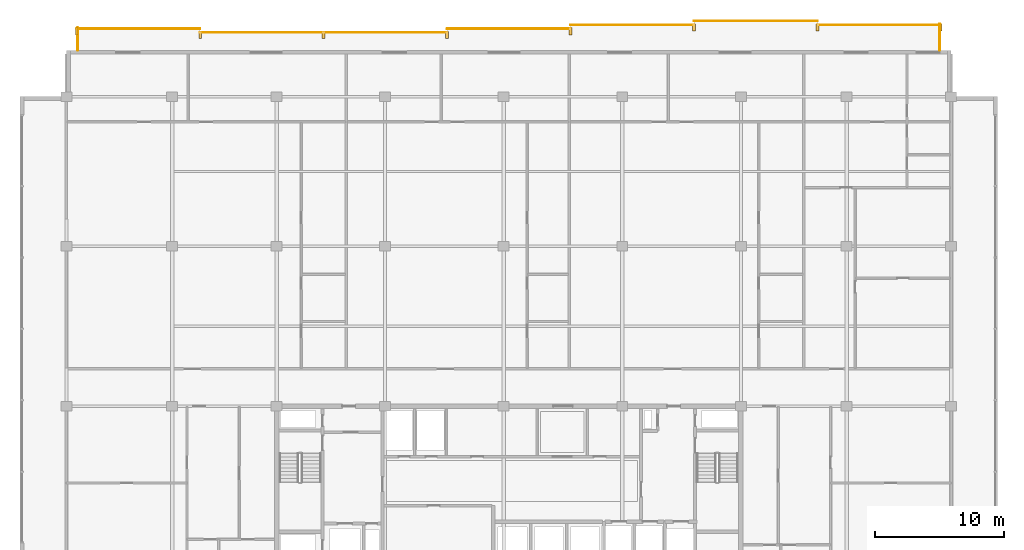
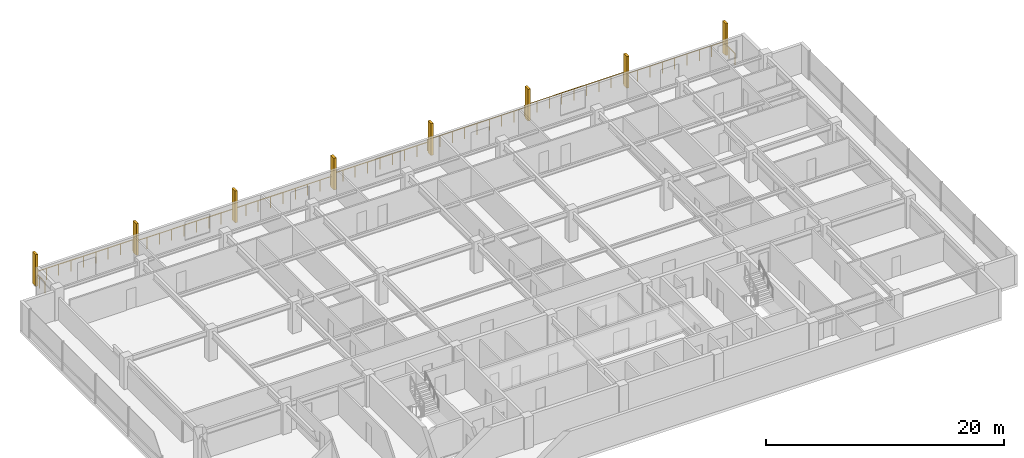
# One storey, part 32 of 32: 8 railings, 8 shading devices.
"""IFC4 building model written with IfcOpenShell, lengths in metres."""

import ifcopenshell
import ifcopenshell.guid

model = None  # the IFC model being written
_history = None  # IfcOwnerHistory: only IFC2X3 demands one
_inside = {}  # id of a spatial element -> (the spatial element, [elements in it])
_under = {}  # id of a project, library or spatial element -> (it, [spatial elements below it])
_declared = {}  # id of a project -> (the project, [libraries it declares])
_typed = {}  # id of a type object -> (the type object, [elements of that type])
_made_of = {}  # id of a material, layer set ... -> (it, [elements and type objects made of it])


def new_model(schema):
    """Start an empty IFC model of exactly this schema.

    Asked for "IFC4X3", IfcOpenShell would pick the latest addendum, in which some entities
    have other attributes; the version numbers below select the first issue.
    IFC2X3 requires an IfcOwnerHistory on every rooted entity: one is made here for all.
    """
    global model, _history
    if schema == "IFC4X3":
        model = ifcopenshell.file(schema_version=(4, 3, 0, 0))
    else:
        model = ifcopenshell.file(schema=schema)
    _inside.clear()
    _under.clear()
    _declared.clear()
    _typed.clear()
    _made_of.clear()
    _history = None
    if model.schema == "IFC2X3":
        org = make("IfcOrganization", Name="unknown")
        user = make(
            "IfcPersonAndOrganization",
            ThePerson=make("IfcPerson", FamilyName="unknown"),
            TheOrganization=org,
        )
        app = make(
            "IfcApplication",
            ApplicationDeveloper=org,
            Version="unknown",
            ApplicationFullName="unknown",
            ApplicationIdentifier="unknown",
        )
        _history = make(
            "IfcOwnerHistory",
            OwningUser=user,
            OwningApplication=app,
            ChangeAction="ADDED",
            CreationDate=0,
        )
    return model


def make(cls, **values):
    """One entity of the class cls with the attributes given. An attribute that is None is left unset."""
    return model.create_entity(
        cls, **{name: value for name, value in values.items() if value is not None}
    )


def rooted(cls, **values):
    """An entity with a GlobalId (a new one), such as an element, a storey or a relation."""
    return make(cls, GlobalId=ifcopenshell.guid.new(), OwnerHistory=_history, **values)


def si_unit(unit_type, name, prefix=None):
    """IfcSIUnit, for example si_unit("LENGTHUNIT", "METRE", prefix="MILLI")."""
    return make("IfcSIUnit", UnitType=unit_type, Prefix=prefix, Name=name)


def assignment(units):
    """IfcUnitAssignment: the units of a project."""
    return None if units is None else make("IfcUnitAssignment", Units=units)


def point(xyz):
    """IfcCartesianPoint."""
    return None if xyz is None else make("IfcCartesianPoint", Coordinates=xyz)


def direction(xyz):
    """IfcDirection."""
    return None if xyz is None else make("IfcDirection", DirectionRatios=xyz)


def frame(location, z_axis=None, x_axis=None):
    """IfcAxis2Placement3D, a coordinate frame: its origin and axes. An axis left out is left unset."""
    return make(
        "IfcAxis2Placement3D",
        Location=point(location),
        Axis=direction(z_axis),
        RefDirection=direction(x_axis),
    )


def frame_2d(location, x_axis=None):
    """IfcAxis2Placement2D, a coordinate frame in the plane: its origin and x axis."""
    return make(
        "IfcAxis2Placement2D", Location=point(location), RefDirection=direction(x_axis)
    )


def origin():
    """The frame at (0, 0, 0) with its axes left unset."""
    return frame((0.0, 0.0, 0.0))


def origin_2d():
    """The frame at (0, 0) in the plane with its x axis left unset."""
    return frame_2d((0.0, 0.0))


def place(relative_to, where):
    """IfcLocalPlacement: puts the frame where relative to a parent placement (None: the world)."""
    return make(
        "IfcLocalPlacement", PlacementRelTo=relative_to, RelativePlacement=where
    )


def context(
    kind, dimensions, precision=None, world=None, true_north=None, identifier=None
):
    """IfcGeometricRepresentationContext, for example the 3D "Model" context."""
    return make(
        "IfcGeometricRepresentationContext",
        ContextIdentifier=identifier,
        ContextType=kind,
        CoordinateSpaceDimension=dimensions,
        Precision=precision,
        WorldCoordinateSystem=world,
        TrueNorth=true_north,
    )


def subcontext(parent, identifier, kind, view, scale=None):
    """IfcGeometricRepresentationSubContext, for example "Body" below "Model"."""
    return make(
        "IfcGeometricRepresentationSubContext",
        ContextIdentifier=identifier,
        ContextType=kind,
        ParentContext=parent,
        TargetScale=scale,
        TargetView=view,
    )


def project(units=None, contexts=None):
    """IfcProject with its units and contexts."""
    return rooted(
        "IfcProject",
        Name="project",
        RepresentationContexts=contexts,
        UnitsInContext=assignment(units),
    )


def spatial(cls, under=None, at=None, **own):
    """A site, building, storey or space (cls), placed at a placement, below another one or the project."""
    s = rooted(cls, ObjectPlacement=at, **own)
    if under is not None:
        _under.setdefault(under.id(), (under, []))[1].append(s)
    return s


def profile(cls, at=None, kind="AREA", **sizes):
    """A parametric profile (cls). Its sizes go by their IFC names, for example OverallWidth=200.0."""
    return make(cls, ProfileType=kind, Position=at, **sizes)


def rectangle(**sizes):
    """IfcRectangleProfileDef."""
    return profile("IfcRectangleProfileDef", **sizes)


def circle(**sizes):
    """IfcCircleProfileDef."""
    return profile("IfcCircleProfileDef", **sizes)


def extrude(swept, where, along, depth):
    """IfcExtrudedAreaSolid: the profile swept, set in the frame where, extruded along a direction by depth."""
    return make(
        "IfcExtrudedAreaSolid",
        SweptArea=swept,
        Position=where,
        ExtrudedDirection=direction(along),
        Depth=depth,
    )


def shape(context_of_items, identifier, shape_type, items):
    """IfcShapeRepresentation: the items that make up one representation, for example the "Body"."""
    return make(
        "IfcShapeRepresentation",
        ContextOfItems=context_of_items,
        RepresentationIdentifier=identifier,
        RepresentationType=shape_type,
        Items=items,
    )


def material(Name=None, Category=None):
    """IfcMaterial."""
    return make("IfcMaterial", Name=Name, Category=Category)


def made_of(thing, what):
    """Note that an element or type object is made of a material, layer set ...; save() writes the relation."""
    if what is not None:
        _made_of.setdefault(what.id(), (what, []))[1].append(thing)
    return thing


def type_object(cls, material=None, **own):
    """A type object (cls), such as IfcWallType, which elements share."""
    return made_of(rooted(cls, **own), material)


def element(
    cls,
    number,
    at=None,
    inside=None,
    cuts=None,
    type_object=None,
    material=None,
    context=None,
    identifier="Body",
    shape_type=None,
    held_by="IfcProductDefinitionShape",
    body=None,
    shapes=None,
    **own,
):
    """One element of the class cls, such as IfcWall. Its Tag is "e" and its number.

    at: its placement. inside: the storey or other place that contains it. cuts: it is an
    opening in that element (IfcRelVoidsElement). A single representation is given by context,
    identifier, shape_type and body (its items); several are given by shapes. held_by: the class
    of the entity that holds the representations. save() writes the other relations.
    """
    e = rooted(cls, Tag="e%d" % number, ObjectPlacement=at, **own)
    if body is not None:
        shapes = [shape(context, identifier, shape_type, body)]
    if shapes is not None:
        e.Representation = make(held_by, Representations=shapes)
    if inside is not None:
        _inside.setdefault(inside.id(), (inside, []))[1].append(e)
    if cuts is not None:
        rooted(
            "IfcRelVoidsElement", RelatingBuildingElement=cuts, RelatedOpeningElement=e
        )
    if type_object is not None:
        _typed.setdefault(type_object.id(), (type_object, []))[1].append(e)
    return made_of(e, material)


def aggregate(whole, parts):
    """IfcRelAggregates: a whole, such as a stair, and the parts it consists of."""
    return rooted("IfcRelAggregates", RelatingObject=whole, RelatedObjects=parts)


def save(model, path):
    """Write the relations noted so far, then the file.

    IfcRelAggregates (storeys below a building ...), IfcRelContainedInSpatialStructure (elements
    in a storey), IfcRelDefinesByType, IfcRelAssociatesMaterial and IfcRelDeclares: one each for
    every whole, place, type object, material and project.
    """
    for whole, parts in _under.values():
        aggregate(whole, parts)
    for where, things in _inside.values():
        rooted(
            "IfcRelContainedInSpatialStructure",
            RelatedElements=things,
            RelatingStructure=where,
        )
    for kind, things in _typed.values():
        rooted("IfcRelDefinesByType", RelatedObjects=things, RelatingType=kind)
    for what, things in _made_of.values():
        rooted("IfcRelAssociatesMaterial", RelatedObjects=things, RelatingMaterial=what)
    for by, libraries in _declared.values():
        rooted("IfcRelDeclares", RelatingContext=by, RelatedDefinitions=libraries)
    model.write(path)


model = new_model("IFC4")

# Units and contexts
model_context = context("Model", 3, precision=1e-05, world=origin(), true_north=direction((0.0, 1.0)))
body_context = subcontext(model_context, "Body", "Model", "MODEL_VIEW")
ifc_project = project(units=[si_unit("LENGTHUNIT", "METRE"), si_unit("AREAUNIT", "SQUARE_METRE"), si_unit("VOLUMEUNIT", "CUBIC_METRE"), si_unit("PLANEANGLEUNIT", "RADIAN"), si_unit("MASSUNIT", "GRAM", prefix="KILO")], contexts=[model_context])

# Site, building, storey
site_placement = place(None, origin())
site = spatial("IfcSite", under=ifc_project, at=site_placement, CompositionType="ELEMENT")
building_placement = place(site_placement, origin())
building = spatial("IfcBuilding", under=site, at=building_placement, Name="Korimba Cascade Residences", CompositionType="ELEMENT")
storey_placement = place(building_placement, frame((0.0, 0.0, 178.35009765625)))
storey = spatial("IfcBuildingStorey", under=building, at=storey_placement, Name="L51", CompositionType="ELEMENT", Elevation=178.35009765625)

# Railings
ifc_material_1 = material(Name="Laminated Glass and Bronze Balustrade", Category="glass")
railing_type = type_object("IfcRailingType", Name="RLG-LOG-1150", PredefinedType="BALUSTRADE", material=ifc_material_1)
railing_1_placement = place(storey_placement, frame((127.52001953125, 94.800048828125, 0.0)))
element("IfcRailing", 1, at=railing_1_placement, inside=storey, type_object=railing_type, Name="L51 Perimeter Guardrail RLG-L51-T1-LOG-01", PredefinedType="BALUSTRADE", context=body_context, shape_type="SweptSolid", body=[
    extrude(circle(Radius=0.02392578125, at=origin_2d()), frame((0.0, 0.0, 1.1259765625), z_axis=(0.0, 1.0, 0.0), x_axis=(-1.0, 0.0, 0.0)), (0.0, 0.0, 1.0), 2.050048828125),
    extrude(circle(Radius=0.02099609375, at=origin_2d()), origin(), (0.0, 0.0, 1.0), 1.101806640625),
    extrude(circle(Radius=0.02099609375, at=origin_2d()), frame((0.0, 1.02490234375, 0.0)), (0.0, 0.0, 1.0), 1.101806640625),
    extrude(circle(Radius=0.02099609375, at=origin_2d()), frame((0.0, 2.050048828125, 0.0)), (0.0, 0.0, 1.0), 1.101806640625),
])
for number, where, name in (
    (2, (127.60009765625, 96.77001953125, 0.0), "L51 Perimeter Guardrail RLG-L51-T1-LOG-02"),
    (3, (118.028564453125, 97.070068359375, 0.0), "L51 Perimeter Guardrail RLG-L51-T1-LOG-03"),
):
    element("IfcRailing", number, at=place(storey_placement, frame(where)), inside=storey, type_object=railing_type, Name=name, PredefinedType="BALUSTRADE", context=body_context, shape_type="SweptSolid", body=[
        extrude(circle(Radius=0.02392578125, at=origin_2d()), frame((0.0, 0.0, 1.1259765625), z_axis=(-1.0, 0.0, 0.0), x_axis=(0.0, -1.0, 0.0)), (0.0, 0.0, 1.0), 9.571533203125),
        extrude(circle(Radius=0.02099609375, at=origin_2d()), origin(), (0.0, 0.0, 1.0), 1.101806640625),
        extrude(circle(Radius=0.02099609375, at=origin_2d()), frame((-1.196533203125, 0.0, 0.0)), (0.0, 0.0, 1.0), 1.101806640625),
        extrude(circle(Radius=0.02099609375, at=origin_2d()), frame((-2.392822265625, 0.0, 0.0)), (0.0, 0.0, 1.0), 1.101806640625),
        extrude(circle(Radius=0.02099609375, at=origin_2d()), frame((-3.58935546875, 0.0, 0.0)), (0.0, 0.0, 1.0), 1.101806640625),
        extrude(circle(Radius=0.02099609375, at=origin_2d()), frame((-4.78564453125, 0.0, 0.0)), (0.0, 0.0, 1.0), 1.101806640625),
        extrude(circle(Radius=0.02099609375, at=origin_2d()), frame((-5.982177734375, 0.0, 0.0)), (0.0, 0.0, 1.0), 1.101806640625),
        extrude(circle(Radius=0.02099609375, at=origin_2d()), frame((-7.1787109375, 0.0, 0.0)), (0.0, 0.0, 1.0), 1.101806640625),
        extrude(circle(Radius=0.02099609375, at=origin_2d()), frame((-8.375, 0.0, 0.0)), (0.0, 0.0, 1.0), 1.101806640625),
        extrude(circle(Radius=0.02099609375, at=origin_2d()), frame((-9.571533203125, 0.0, 0.0)), (0.0, 0.0, 1.0), 1.101806640625),
    ])
railing_2_placement = place(storey_placement, frame((108.45703125, 96.77001953125, 0.0)))
element("IfcRailing", 4, at=railing_2_placement, inside=storey, type_object=railing_type, Name="L51 Perimeter Guardrail RLG-L51-T1-LOG-04", PredefinedType="BALUSTRADE", context=body_context, shape_type="SweptSolid", body=[
    extrude(circle(Radius=0.02392578125, at=origin_2d()), frame((0.0, 0.0, 1.1259765625), z_axis=(-1.0, 0.0, 0.0), x_axis=(0.0, -1.0, 0.0)), (0.0, 0.0, 1.0), 9.5712890625),
    extrude(circle(Radius=0.02099609375, at=origin_2d()), origin(), (0.0, 0.0, 1.0), 1.101806640625),
    extrude(circle(Radius=0.02099609375, at=origin_2d()), frame((-1.1962890625, 0.0, 0.0)), (0.0, 0.0, 1.0), 1.101806640625),
    extrude(circle(Radius=0.02099609375, at=origin_2d()), frame((-2.392822265625, 0.0, 0.0)), (0.0, 0.0, 1.0), 1.101806640625),
    extrude(circle(Radius=0.02099609375, at=origin_2d()), frame((-3.58935546875, 0.0, 0.0)), (0.0, 0.0, 1.0), 1.101806640625),
    extrude(circle(Radius=0.02099609375, at=origin_2d()), frame((-4.78564453125, 0.0, 0.0)), (0.0, 0.0, 1.0), 1.101806640625),
    extrude(circle(Radius=0.02099609375, at=origin_2d()), frame((-5.98193359375, 0.0, 0.0)), (0.0, 0.0, 1.0), 1.101806640625),
    extrude(circle(Radius=0.02099609375, at=origin_2d()), frame((-7.178466796875, 0.0, 0.0)), (0.0, 0.0, 1.0), 1.101806640625),
    extrude(circle(Radius=0.02099609375, at=origin_2d()), frame((-8.375, 0.0, 0.0)), (0.0, 0.0, 1.0), 1.101806640625),
    extrude(circle(Radius=0.02099609375, at=origin_2d()), frame((-9.5712890625, 0.0, 0.0)), (0.0, 0.0, 1.0), 1.101806640625),
])
railing_3_placement = place(storey_placement, frame((98.8857421875, 96.469970703125, 0.0)))
element("IfcRailing", 5, at=railing_3_placement, inside=storey, type_object=railing_type, Name="L51 Perimeter Guardrail RLG-L51-T1-LOG-05", PredefinedType="BALUSTRADE", context=body_context, shape_type="SweptSolid", body=[
    extrude(circle(Radius=0.02392578125, at=origin_2d()), frame((0.0, 0.0, 1.1259765625), z_axis=(-1.0, 0.0, 0.0), x_axis=(0.0, -1.0, 0.0)), (0.0, 0.0, 1.0), 9.571533203125),
    extrude(circle(Radius=0.02099609375, at=origin_2d()), origin(), (0.0, 0.0, 1.0), 1.101806640625),
    extrude(circle(Radius=0.02099609375, at=origin_2d()), frame((-1.196533203125, 0.0, 0.0)), (0.0, 0.0, 1.0), 1.101806640625),
    extrude(circle(Radius=0.02099609375, at=origin_2d()), frame((-2.392822265625, 0.0, 0.0)), (0.0, 0.0, 1.0), 1.101806640625),
    extrude(circle(Radius=0.02099609375, at=origin_2d()), frame((-3.58935546875, 0.0, 0.0)), (0.0, 0.0, 1.0), 1.101806640625),
    extrude(circle(Radius=0.02099609375, at=origin_2d()), frame((-4.78564453125, 0.0, 0.0)), (0.0, 0.0, 1.0), 1.101806640625),
    extrude(circle(Radius=0.02099609375, at=origin_2d()), frame((-5.982177734375, 0.0, 0.0)), (0.0, 0.0, 1.0), 1.101806640625),
    extrude(circle(Radius=0.02099609375, at=origin_2d()), frame((-7.1787109375, 0.0, 0.0)), (0.0, 0.0, 1.0), 1.101806640625),
    extrude(circle(Radius=0.02099609375, at=origin_2d()), frame((-8.375, 0.0, 0.0)), (0.0, 0.0, 1.0), 1.101806640625),
    extrude(circle(Radius=0.02099609375, at=origin_2d()), frame((-9.571533203125, 0.0, 0.0)), (0.0, 0.0, 1.0), 1.101806640625),
])
railing_4_placement = place(storey_placement, frame((89.314208984375, 96.169921875, 0.0)))
element("IfcRailing", 6, at=railing_4_placement, inside=storey, type_object=railing_type, Name="L51 Perimeter Guardrail RLG-L51-T1-LOG-06", PredefinedType="BALUSTRADE", context=body_context, shape_type="SweptSolid", body=[
    extrude(circle(Radius=0.02392578125, at=origin_2d()), frame((0.0, 0.0, 1.1259765625), z_axis=(-1.0, 0.0, 0.0), x_axis=(0.0, -1.0, 0.0)), (0.0, 0.0, 1.0), 19.142822265625),
    extrude(circle(Radius=0.02099609375, at=origin_2d()), origin(), (0.0, 0.0, 1.0), 1.101806640625),
    extrude(circle(Radius=0.02099609375, at=origin_2d()), frame((-1.196533203125, 0.0, 0.0)), (0.0, 0.0, 1.0), 1.101806640625),
    extrude(circle(Radius=0.02099609375, at=origin_2d()), frame((-2.392822265625, 0.0, 0.0)), (0.0, 0.0, 1.0), 1.101806640625),
    extrude(circle(Radius=0.02099609375, at=origin_2d()), frame((-3.58935546875, 0.0, 0.0)), (0.0, 0.0, 1.0), 1.101806640625),
    extrude(circle(Radius=0.02099609375, at=origin_2d()), frame((-4.78564453125, 0.0, 0.0)), (0.0, 0.0, 1.0), 1.101806640625),
    extrude(circle(Radius=0.02099609375, at=origin_2d()), frame((-5.982177734375, 0.0, 0.0)), (0.0, 0.0, 1.0), 1.101806640625),
    extrude(circle(Radius=0.02099609375, at=origin_2d()), frame((-7.178466796875, 0.0, 0.0)), (0.0, 0.0, 1.0), 1.101806640625),
    extrude(circle(Radius=0.02099609375, at=origin_2d()), frame((-8.375, 0.0, 0.0)), (0.0, 0.0, 1.0), 1.101806640625),
    extrude(circle(Radius=0.02099609375, at=origin_2d()), frame((-9.5712890625, 0.0, 0.0)), (0.0, 0.0, 1.0), 1.101806640625),
    extrude(circle(Radius=0.02099609375, at=origin_2d()), frame((-10.767822265625, 0.0, 0.0)), (0.0, 0.0, 1.0), 1.101806640625),
    extrude(circle(Radius=0.02099609375, at=origin_2d()), frame((-11.96435546875, 0.0, 0.0)), (0.0, 0.0, 1.0), 1.101806640625),
    extrude(circle(Radius=0.02099609375, at=origin_2d()), frame((-13.16064453125, 0.0, 0.0)), (0.0, 0.0, 1.0), 1.101806640625),
    extrude(circle(Radius=0.02099609375, at=origin_2d()), frame((-14.357177734375, 0.0, 0.0)), (0.0, 0.0, 1.0), 1.101806640625),
    extrude(circle(Radius=0.02099609375, at=origin_2d()), frame((-15.553466796875, 0.0, 0.0)), (0.0, 0.0, 1.0), 1.101806640625),
    extrude(circle(Radius=0.02099609375, at=origin_2d()), frame((-16.75, 0.0, 0.0)), (0.0, 0.0, 1.0), 1.101806640625),
    extrude(circle(Radius=0.02099609375, at=origin_2d()), frame((-17.9462890625, 0.0, 0.0)), (0.0, 0.0, 1.0), 1.101806640625),
    extrude(circle(Radius=0.02099609375, at=origin_2d()), frame((-19.142822265625, 0.0, 0.0)), (0.0, 0.0, 1.0), 1.101806640625),
])
railing_5_placement = place(storey_placement, frame((70.17138671875, 96.469970703125, 0.0)))
element("IfcRailing", 7, at=railing_5_placement, inside=storey, type_object=railing_type, Name="L51 Perimeter Guardrail RLG-L51-T1-LOG-07", PredefinedType="BALUSTRADE", context=body_context, shape_type="SweptSolid", body=[
    extrude(circle(Radius=0.02392578125, at=origin_2d()), frame((0.0, 0.0, 1.1259765625), z_axis=(-1.0, 0.0, 0.0), x_axis=(0.0, -1.0, 0.0)), (0.0, 0.0, 1.0), 9.5712890625),
    extrude(circle(Radius=0.02099609375, at=origin_2d()), origin(), (0.0, 0.0, 1.0), 1.101806640625),
    extrude(circle(Radius=0.02099609375, at=origin_2d()), frame((-1.1962890625, 0.0, 0.0)), (0.0, 0.0, 1.0), 1.101806640625),
    extrude(circle(Radius=0.02099609375, at=origin_2d()), frame((-2.392822265625, 0.0, 0.0)), (0.0, 0.0, 1.0), 1.101806640625),
    extrude(circle(Radius=0.02099609375, at=origin_2d()), frame((-3.58935546875, 0.0, 0.0)), (0.0, 0.0, 1.0), 1.101806640625),
    extrude(circle(Radius=0.02099609375, at=origin_2d()), frame((-4.78564453125, 0.0, 0.0)), (0.0, 0.0, 1.0), 1.101806640625),
    extrude(circle(Radius=0.02099609375, at=origin_2d()), frame((-5.98193359375, 0.0, 0.0)), (0.0, 0.0, 1.0), 1.101806640625),
    extrude(circle(Radius=0.02099609375, at=origin_2d()), frame((-7.178466796875, 0.0, 0.0)), (0.0, 0.0, 1.0), 1.101806640625),
    extrude(circle(Radius=0.02099609375, at=origin_2d()), frame((-8.375, 0.0, 0.0)), (0.0, 0.0, 1.0), 1.101806640625),
    extrude(circle(Radius=0.02099609375, at=origin_2d()), frame((-9.5712890625, 0.0, 0.0)), (0.0, 0.0, 1.0), 1.101806640625),
])
railing_6_placement = place(storey_placement, frame((60.679931640625, 96.550048828125, 0.0)))
element("IfcRailing", 8, at=railing_6_placement, inside=storey, type_object=railing_type, Name="L51 Perimeter Guardrail RLG-L51-T1-LOG-08", PredefinedType="BALUSTRADE", context=body_context, shape_type="SweptSolid", body=[
    extrude(circle(Radius=0.02392578125, at=origin_2d()), frame((0.0, 0.0, 1.1259765625), z_axis=(0.0, -1.0, 0.0), x_axis=(1.0, 0.0, 0.0)), (0.0, 0.0, 1.0), 1.75),
    extrude(circle(Radius=0.02099609375, at=origin_2d()), origin(), (0.0, 0.0, 1.0), 1.101806640625),
    extrude(circle(Radius=0.02099609375, at=origin_2d()), frame((0.0, -0.875, 0.0)), (0.0, 0.0, 1.0), 1.101806640625),
    extrude(circle(Radius=0.02099609375, at=origin_2d()), frame((0.0, -1.75, 0.0)), (0.0, 0.0, 1.0), 1.101806640625),
])

# Shading devices
ifc_material_2 = material(Name="Honed Sandstone Precast Fin", Category="masonry")
shading_device_type = type_object("IfcShadingDeviceType", Name="SHD-FIN-550", PredefinedType="USERDEFINED", material=ifc_material_2)
for number, where, z_axis, x_axis, name in (
    (9, (60.60009765625, 96.27490234375, 0.0), (0.0, 0.0, 1.0), (1.0, 0.0, 0.0), "L51 T1 Warm-Stone Loggia Fin 1"),
    (10, (70.17138671875, 95.97509765625, 0.0), (0.0, 0.0, 1.0), (1.0, 0.0, 0.0), "L51 T1 Warm-Stone Loggia Fin 2"),
    (11, (79.742919921875, 95.97509765625, 0.0), (0.0, 0.0, 1.0), (1.0, 0.0, 0.0), "L51 T1 Warm-Stone Loggia Fin 3"),
    (12, (89.314208984375, 95.97509765625, 0.0), (0.0, 0.0, 1.0), (1.0, 0.0, 0.0), "L51 T1 Warm-Stone Loggia Fin 4"),
    (13, (98.8857421875, 96.27490234375, 0.0), (0.0, 0.0, 1.0), (1.0, 0.0, 0.0), "L51 T1 Warm-Stone Loggia Fin 5"),
    (14, (108.45703125, 96.574951171875, 0.0), (0.0, 0.0, 1.0), (1.0, 0.0, 0.0), "L51 T1 Warm-Stone Loggia Fin 6"),
    (15, (118.028564453125, 96.574951171875, 0.0), (0.0, 0.0, 1.0), (1.0, 0.0, 0.0), "L51 T1 Warm-Stone Loggia Fin 7"),
    (16, (127.60009765625, 96.574951171875, 0.0), (0.0, 0.0, 1.0), (1.0, 0.0, 0.0), "L51 T1 Warm-Stone Loggia Fin 8"),
):
    element("IfcShadingDevice", number, at=place(storey_placement, frame(where, z_axis=z_axis, x_axis=x_axis)), inside=storey, type_object=shading_device_type, Name=name, ObjectType="FIN", PredefinedType="USERDEFINED", context=body_context, shape_type="SweptSolid", body=[
        extrude(rectangle(XDim=0.219970703125, YDim=0.550048828125, at=origin_2d()), origin(), (0.0, 0.0, 1.0), 3.25),
    ])

save(model, "model.ifc")
